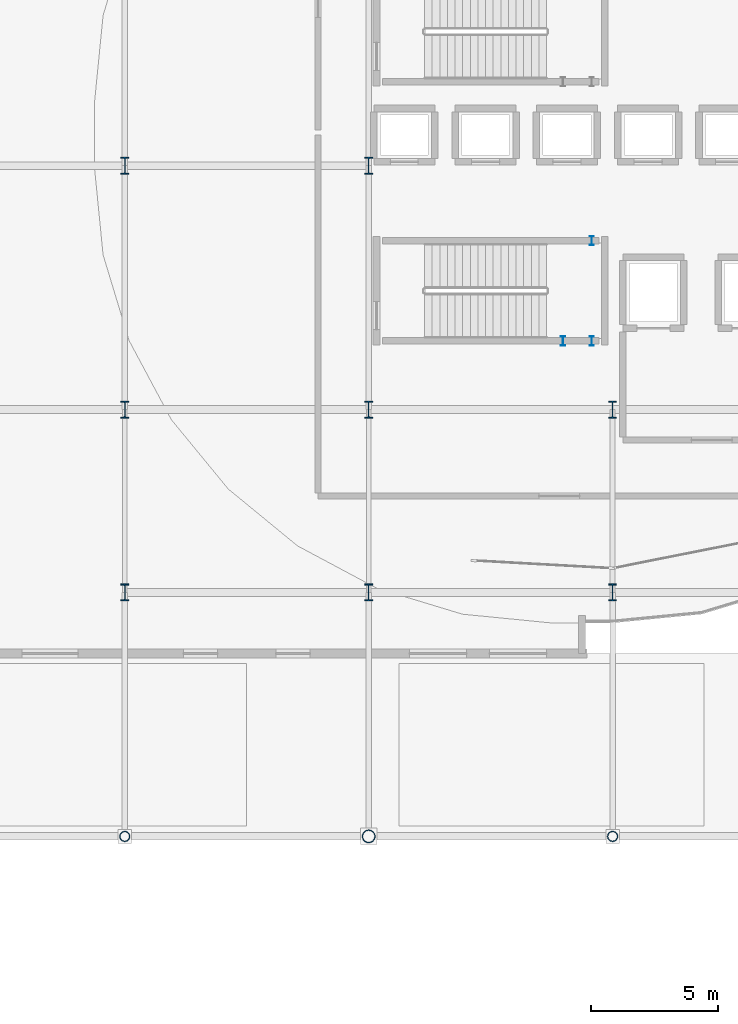
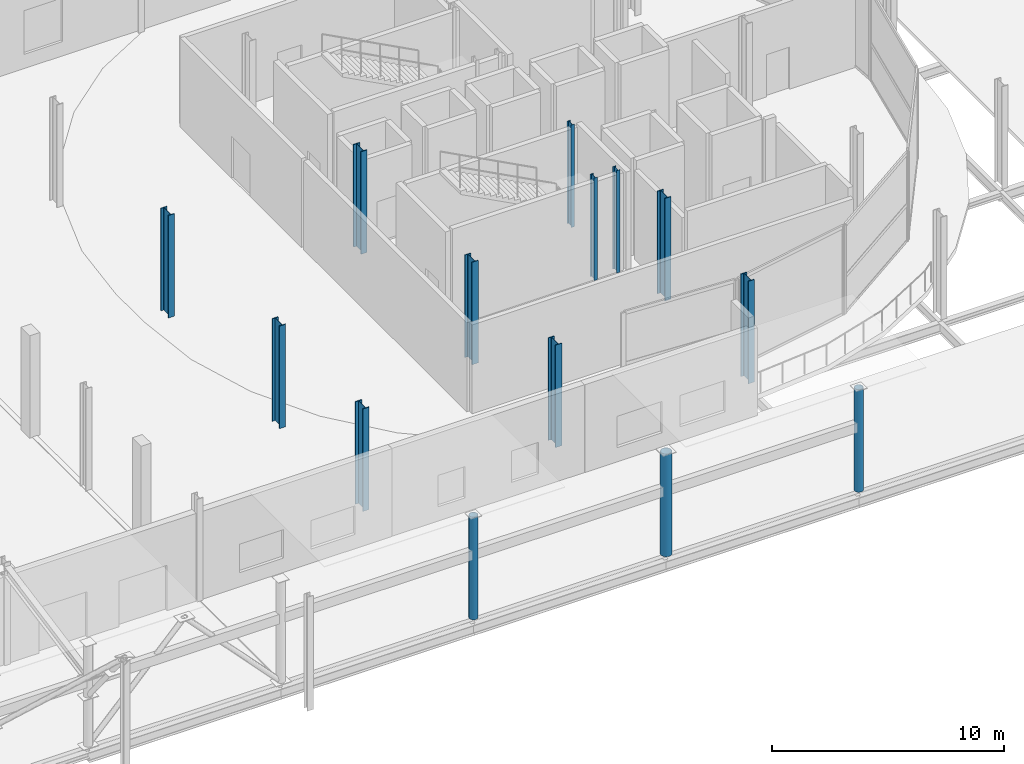
# One storey, part 20 of 84: 14 columns.
"""IFC4 building model written with IfcOpenShell, lengths in metres."""

from ifc_helpers import new_model, si_unit, direction, frame, origin, origin_2d, place, context, subcontext, project, spatial, hollow_circle, i_section, extrude, material, material_profile, profile_set, type_object, element, save


model = new_model("IFC4")

# Units and contexts
model_context = context("Model", 3, precision=1e-05, world=origin(), true_north=direction((0.0, 1.0)))
body_context = subcontext(model_context, "Body", "Model", "MODEL_VIEW")
ifc_project = project(units=[si_unit("LENGTHUNIT", "METRE"), si_unit("AREAUNIT", "SQUARE_METRE"), si_unit("VOLUMEUNIT", "CUBIC_METRE"), si_unit("PLANEANGLEUNIT", "RADIAN"), si_unit("MASSUNIT", "GRAM", prefix="KILO")], contexts=[model_context])

# Site, building, storey
site_placement = place(None, origin())
site = spatial("IfcSite", under=ifc_project, at=site_placement, CompositionType="ELEMENT")
building_placement = place(site_placement, origin())
building = spatial("IfcBuilding", under=site, at=building_placement, Name="Zevrakil Square Congress Hotel", CompositionType="ELEMENT")
storey_placement = place(building_placement, origin())
storey = spatial("IfcBuildingStorey", under=building, at=storey_placement, Name="L01", CompositionType="ELEMENT", Elevation=0.0)

# Columns
ifc_material_1 = material(Name="Steel S355", Category="steel")
ifc_material_profile_1 = material_profile(ifc_material_1, hollow_circle(Radius=0.203125, WallThickness=0.02001953125, at=origin_2d()), Name="CHS 406.4x20")
ifc_profile_set_1 = profile_set([ifc_material_profile_1], Name="Steel S355")
column_type_1 = type_object("IfcColumnType", Name="COL-CHS406", PredefinedType="COLUMN", material=ifc_profile_set_1)
for number, where, z_axis, x_axis, name in (
    (1, (127.199951171875, 0.0, 0.0), (0.0, 0.0, 1.0), (1.0, 0.0, 0.0), "L01 column C-195"),
    (2, (146.39990234375, 0.0, 0.0), (0.0, 0.0, 1.0), (1.0, 0.0, 0.0), "L01 column C-213"),
):
    element("IfcColumn", number, at=place(storey_placement, frame(where, z_axis=z_axis, x_axis=x_axis)), inside=storey, type_object=column_type_1, Name=name, PredefinedType="COLUMN", context=body_context, shape_type="SweptSolid", body=[
        extrude(hollow_circle(Radius=0.203125, WallThickness=0.02001953125, at=origin_2d()), origin(), (0.0, 0.0, 1.0), 5.39990234375),
    ])
ifc_material_2 = material(Name="Steel S355", Category="steel")
ifc_material_profile_2 = material_profile(ifc_material_2, hollow_circle(Radius=0.25390625, WallThickness=0.02001953125, at=origin_2d()), Name="CHS 508x20")
ifc_profile_set_2 = profile_set([ifc_material_profile_2], Name="Steel S355")
column_type_2 = type_object("IfcColumnType", Name="COL-CHS508", PredefinedType="COLUMN", material=ifc_profile_set_2)
column_placement = place(storey_placement, frame((136.800048828125, 0.0, 0.0), z_axis=(0.0, 0.0, 1.0), x_axis=(1.0, 0.0, 0.0)))
element("IfcColumn", 3, at=column_placement, inside=storey, type_object=column_type_2, Name="L01 column C-204", PredefinedType="COLUMN", context=body_context, shape_type="SweptSolid", body=[
    extrude(hollow_circle(Radius=0.25390625, WallThickness=0.02001953125, at=origin_2d()), origin(), (0.0, 0.0, 1.0), 5.39990234375),
])
ifc_material_3 = material(Name="Steel S355", Category="steel")
ifc_material_profile_3 = material_profile(ifc_material_3, i_section(OverallWidth=0.304931640625, OverallDepth=0.66796875, WebThickness=0.02099609375, FlangeThickness=0.0400390625, FilletRadius=0.027099609375, at=origin_2d()), Name="HEM 650")
ifc_profile_set_3 = profile_set([ifc_material_profile_3], Name="Steel S355")
column_type_3 = type_object("IfcColumnType", Name="COL-HEM650", PredefinedType="COLUMN", material=ifc_profile_set_3)
for number, where, z_axis, x_axis, name in (
    (4, (127.199951171875, 9.60009765625, 0.0), (0.0, 0.0, 1.0), (1.0, 0.0, 0.0), "L01 column C-196"),
    (5, (127.199951171875, 16.800048828125, 0.0), (0.0, 0.0, 1.0), (1.0, 0.0, 0.0), "L01 column C-197"),
    (6, (127.199951171875, 26.39990234375, 0.0), (0.0, 0.0, 1.0), (1.0, 0.0, 0.0), "L01 column C-198"),
    (7, (136.800048828125, 9.60009765625, 0.0), (0.0, 0.0, 1.0), (1.0, 0.0, 0.0), "L01 column C-205"),
    (8, (136.800048828125, 16.800048828125, 0.0), (0.0, 0.0, 1.0), (1.0, 0.0, 0.0), "L01 column C-206"),
    (9, (136.800048828125, 26.39990234375, 0.0), (0.0, 0.0, 1.0), (1.0, 0.0, 0.0), "L01 column C-207"),
    (10, (146.39990234375, 9.60009765625, 0.0), (0.0, 0.0, 1.0), (1.0, 0.0, 0.0), "L01 column C-214"),
    (11, (146.39990234375, 16.800048828125, 0.0), (0.0, 0.0, 1.0), (1.0, 0.0, 0.0), "L01 column C-215"),
):
    element("IfcColumn", number, at=place(storey_placement, frame(where, z_axis=z_axis, x_axis=x_axis)), inside=storey, type_object=column_type_3, Name=name, PredefinedType="COLUMN", context=body_context, shape_type="SweptSolid", body=[
        extrude(i_section(OverallWidth=0.304931640625, OverallDepth=0.66796875, WebThickness=0.02099609375, FlangeThickness=0.0400390625, FilletRadius=0.027099609375, at=origin_2d()), origin(), (0.0, 0.0, 1.0), 5.39990234375),
    ])
ifc_material_4 = material(Name="Steel S355", Category="steel")
ifc_material_profile_4 = material_profile(ifc_material_4, i_section(OverallWidth=0.169921875, OverallDepth=0.360107421875, WebThickness=0.008056640625, FlangeThickness=0.0126953125, FilletRadius=0.01806640625, at=origin_2d()), Name="IPE 360")
ifc_profile_set_4 = profile_set([ifc_material_profile_4], Name="Steel S355")
column_type_4 = type_object("IfcColumnType", Name="COL-PILASTER-SHS180", PredefinedType="PILASTER", material=ifc_profile_set_4)
for number, where, z_axis, x_axis, name in (
    (12, (144.449951171875, 19.5, 0.0), (0.0, 0.0, 1.0), (1.0, 0.0, 0.0), "L01 ST01 stair shaft post 1"),
    (13, (145.580078125, 19.5, 0.0), (0.0, 0.0, 1.0), (1.0, 0.0, 0.0), "L01 ST01 stair shaft post 2"),
    (14, (145.580078125, 23.449951171875, 0.0), (0.0, 0.0, 1.0), (1.0, 0.0, 0.0), "L01 ST01 stair shaft post 3"),
):
    element("IfcColumn", number, at=place(storey_placement, frame(where, z_axis=z_axis, x_axis=x_axis)), inside=storey, type_object=column_type_4, Name=name, PredefinedType="PILASTER", context=body_context, shape_type="SweptSolid", body=[
        extrude(i_section(OverallWidth=0.169921875, OverallDepth=0.360107421875, WebThickness=0.008056640625, FlangeThickness=0.0126953125, FilletRadius=0.01806640625, at=origin_2d()), origin(), (0.0, 0.0, 1.0), 5.39990234375),
    ])

save(model, "model.ifc")
